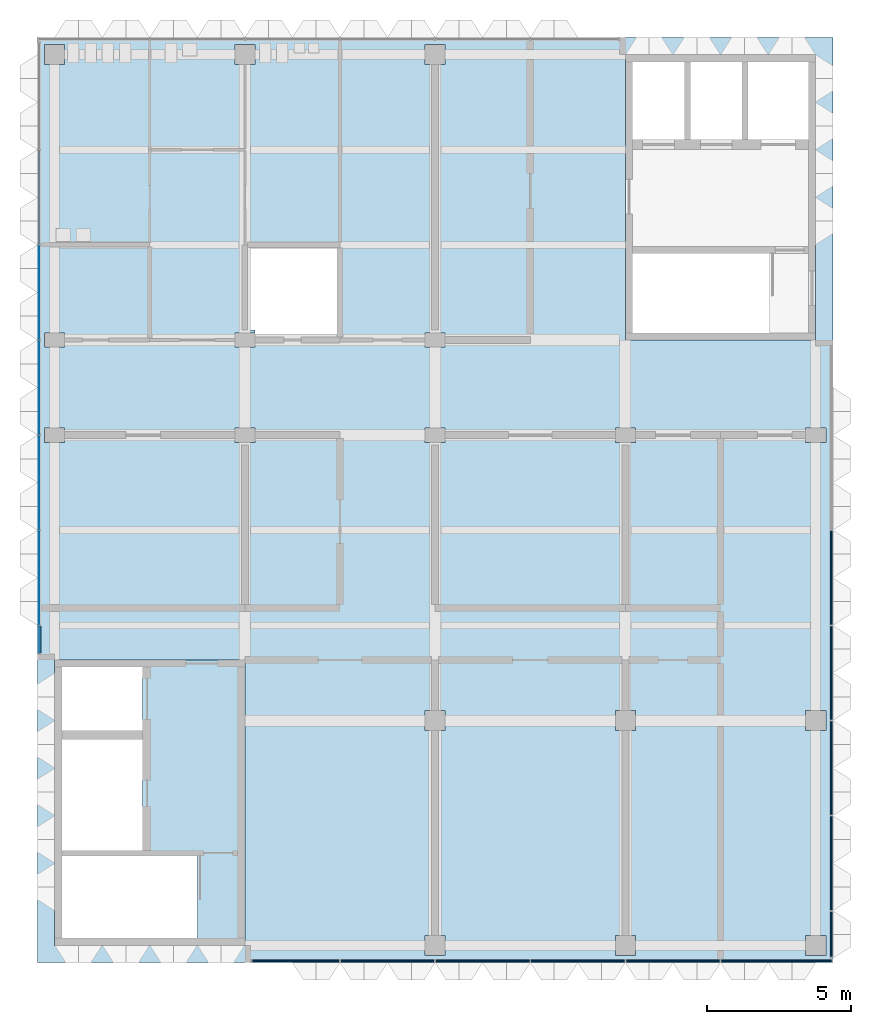
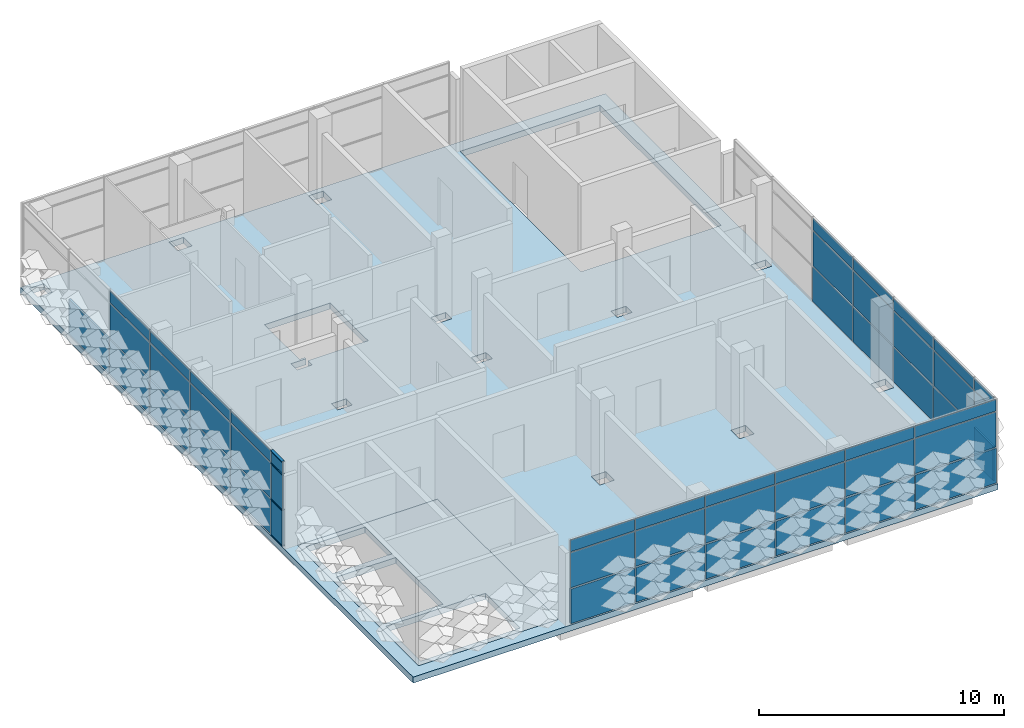
# One storey, part 7 of 21: 49 plates, 4 members, 2 slabs, 3 elements without a shape of their own.
"""IFC4 building model written with IfcOpenShell, lengths in metres."""

import ifcopenshell
import ifcopenshell.guid

model = None  # the IFC model being written
_history = None  # IfcOwnerHistory: only IFC2X3 demands one
_inside = {}  # id of a spatial element -> (the spatial element, [elements in it])
_under = {}  # id of a project, library or spatial element -> (it, [spatial elements below it])
_declared = {}  # id of a project -> (the project, [libraries it declares])
_typed = {}  # id of a type object -> (the type object, [elements of that type])
_made_of = {}  # id of a material, layer set ... -> (it, [elements and type objects made of it])


def new_model(schema):
    """Start an empty IFC model of exactly this schema.

    Asked for "IFC4X3", IfcOpenShell would pick the latest addendum, in which some entities
    have other attributes; the version numbers below select the first issue.
    IFC2X3 requires an IfcOwnerHistory on every rooted entity: one is made here for all.
    """
    global model, _history
    if schema == "IFC4X3":
        model = ifcopenshell.file(schema_version=(4, 3, 0, 0))
    else:
        model = ifcopenshell.file(schema=schema)
    _inside.clear()
    _under.clear()
    _declared.clear()
    _typed.clear()
    _made_of.clear()
    _history = None
    if model.schema == "IFC2X3":
        org = make("IfcOrganization", Name="unknown")
        user = make(
            "IfcPersonAndOrganization",
            ThePerson=make("IfcPerson", FamilyName="unknown"),
            TheOrganization=org,
        )
        app = make(
            "IfcApplication",
            ApplicationDeveloper=org,
            Version="unknown",
            ApplicationFullName="unknown",
            ApplicationIdentifier="unknown",
        )
        _history = make(
            "IfcOwnerHistory",
            OwningUser=user,
            OwningApplication=app,
            ChangeAction="ADDED",
            CreationDate=0,
        )
    return model


def make(cls, **values):
    """One entity of the class cls with the attributes given. An attribute that is None is left unset."""
    return model.create_entity(
        cls, **{name: value for name, value in values.items() if value is not None}
    )


def rooted(cls, **values):
    """An entity with a GlobalId (a new one), such as an element, a storey or a relation."""
    return make(cls, GlobalId=ifcopenshell.guid.new(), OwnerHistory=_history, **values)


def si_unit(unit_type, name, prefix=None):
    """IfcSIUnit, for example si_unit("LENGTHUNIT", "METRE", prefix="MILLI")."""
    return make("IfcSIUnit", UnitType=unit_type, Prefix=prefix, Name=name)


def assignment(units):
    """IfcUnitAssignment: the units of a project."""
    return None if units is None else make("IfcUnitAssignment", Units=units)


def point(xyz):
    """IfcCartesianPoint."""
    return None if xyz is None else make("IfcCartesianPoint", Coordinates=xyz)


def direction(xyz):
    """IfcDirection."""
    return None if xyz is None else make("IfcDirection", DirectionRatios=xyz)


def frame(location, z_axis=None, x_axis=None):
    """IfcAxis2Placement3D, a coordinate frame: its origin and axes. An axis left out is left unset."""
    return make(
        "IfcAxis2Placement3D",
        Location=point(location),
        Axis=direction(z_axis),
        RefDirection=direction(x_axis),
    )


def frame_2d(location, x_axis=None):
    """IfcAxis2Placement2D, a coordinate frame in the plane: its origin and x axis."""
    return make(
        "IfcAxis2Placement2D", Location=point(location), RefDirection=direction(x_axis)
    )


def origin():
    """The frame at (0, 0, 0) with its axes left unset."""
    return frame((0.0, 0.0, 0.0))


def origin_2d():
    """The frame at (0, 0) in the plane with its x axis left unset."""
    return frame_2d((0.0, 0.0))


def place(relative_to, where):
    """IfcLocalPlacement: puts the frame where relative to a parent placement (None: the world)."""
    return make(
        "IfcLocalPlacement", PlacementRelTo=relative_to, RelativePlacement=where
    )


def context(
    kind, dimensions, precision=None, world=None, true_north=None, identifier=None
):
    """IfcGeometricRepresentationContext, for example the 3D "Model" context."""
    return make(
        "IfcGeometricRepresentationContext",
        ContextIdentifier=identifier,
        ContextType=kind,
        CoordinateSpaceDimension=dimensions,
        Precision=precision,
        WorldCoordinateSystem=world,
        TrueNorth=true_north,
    )


def subcontext(parent, identifier, kind, view, scale=None):
    """IfcGeometricRepresentationSubContext, for example "Body" below "Model"."""
    return make(
        "IfcGeometricRepresentationSubContext",
        ContextIdentifier=identifier,
        ContextType=kind,
        ParentContext=parent,
        TargetScale=scale,
        TargetView=view,
    )


def project(units=None, contexts=None):
    """IfcProject with its units and contexts."""
    return rooted(
        "IfcProject",
        Name="project",
        RepresentationContexts=contexts,
        UnitsInContext=assignment(units),
    )


def spatial(cls, under=None, at=None, **own):
    """A site, building, storey or space (cls), placed at a placement, below another one or the project."""
    s = rooted(cls, ObjectPlacement=at, **own)
    if under is not None:
        _under.setdefault(under.id(), (under, []))[1].append(s)
    return s


def polyline(points):
    """IfcPolyline through the points."""
    return make("IfcPolyline", Points=[point(p) for p in points])


def profile(cls, at=None, kind="AREA", **sizes):
    """A parametric profile (cls). Its sizes go by their IFC names, for example OverallWidth=200.0."""
    return make(cls, ProfileType=kind, Position=at, **sizes)


def rectangle(**sizes):
    """IfcRectangleProfileDef."""
    return profile("IfcRectangleProfileDef", **sizes)


def outline(outer, holes=None, kind="AREA"):
    """IfcArbitraryClosedProfileDef: a profile drawn as a closed curve; with holes, ...WithVoids."""
    if holes is None:
        return make("IfcArbitraryClosedProfileDef", ProfileType=kind, OuterCurve=outer)
    return make(
        "IfcArbitraryProfileDefWithVoids",
        ProfileType=kind,
        OuterCurve=outer,
        InnerCurves=holes,
    )


def extrude(swept, where, along, depth):
    """IfcExtrudedAreaSolid: the profile swept, set in the frame where, extruded along a direction by depth."""
    return make(
        "IfcExtrudedAreaSolid",
        SweptArea=swept,
        Position=where,
        ExtrudedDirection=direction(along),
        Depth=depth,
    )


def shape(context_of_items, identifier, shape_type, items):
    """IfcShapeRepresentation: the items that make up one representation, for example the "Body"."""
    return make(
        "IfcShapeRepresentation",
        ContextOfItems=context_of_items,
        RepresentationIdentifier=identifier,
        RepresentationType=shape_type,
        Items=items,
    )


def material(Name=None, Category=None):
    """IfcMaterial."""
    return make("IfcMaterial", Name=Name, Category=Category)


def layer(
    of_material, thickness, ventilated=None, Name=None, Category=None, Priority=None
):
    """IfcMaterialLayer: one layer of a wall or slab, of a material (None: an air gap)."""
    return make(
        "IfcMaterialLayer",
        Material=of_material,
        LayerThickness=thickness,
        IsVentilated=ventilated,
        Name=Name,
        Category=Category,
        Priority=Priority,
    )


def layer_set(layers, Name=None):
    """IfcMaterialLayerSet."""
    return make("IfcMaterialLayerSet", MaterialLayers=layers, LayerSetName=Name)


def material_profile(
    of_material, cross_section, Name=None, Category=None, Priority=None
):
    """IfcMaterialProfile: a cross section and its material."""
    return make(
        "IfcMaterialProfile",
        Name=Name,
        Material=of_material,
        Profile=cross_section,
        Priority=Priority,
        Category=Category,
    )


def profile_set(profiles, Name=None, composite=None):
    """IfcMaterialProfileSet."""
    return make(
        "IfcMaterialProfileSet",
        Name=Name,
        MaterialProfiles=profiles,
        CompositeProfile=composite,
    )


def made_of(thing, what):
    """Note that an element or type object is made of a material, layer set ...; save() writes the relation."""
    if what is not None:
        _made_of.setdefault(what.id(), (what, []))[1].append(thing)
    return thing


def type_object(cls, material=None, **own):
    """A type object (cls), such as IfcWallType, which elements share."""
    return made_of(rooted(cls, **own), material)


def element(
    cls,
    number,
    at=None,
    inside=None,
    cuts=None,
    type_object=None,
    material=None,
    context=None,
    identifier="Body",
    shape_type=None,
    held_by="IfcProductDefinitionShape",
    body=None,
    shapes=None,
    **own,
):
    """One element of the class cls, such as IfcWall. Its Tag is "e" and its number.

    at: its placement. inside: the storey or other place that contains it. cuts: it is an
    opening in that element (IfcRelVoidsElement). A single representation is given by context,
    identifier, shape_type and body (its items); several are given by shapes. held_by: the class
    of the entity that holds the representations. save() writes the other relations.
    """
    e = rooted(cls, Tag="e%d" % number, ObjectPlacement=at, **own)
    if body is not None:
        shapes = [shape(context, identifier, shape_type, body)]
    if shapes is not None:
        e.Representation = make(held_by, Representations=shapes)
    if inside is not None:
        _inside.setdefault(inside.id(), (inside, []))[1].append(e)
    if cuts is not None:
        rooted(
            "IfcRelVoidsElement", RelatingBuildingElement=cuts, RelatedOpeningElement=e
        )
    if type_object is not None:
        _typed.setdefault(type_object.id(), (type_object, []))[1].append(e)
    return made_of(e, material)


def aggregate(whole, parts):
    """IfcRelAggregates: a whole, such as a stair, and the parts it consists of."""
    return rooted("IfcRelAggregates", RelatingObject=whole, RelatedObjects=parts)


def save(model, path):
    """Write the relations noted so far, then the file.

    IfcRelAggregates (storeys below a building ...), IfcRelContainedInSpatialStructure (elements
    in a storey), IfcRelDefinesByType, IfcRelAssociatesMaterial and IfcRelDeclares: one each for
    every whole, place, type object, material and project.
    """
    for whole, parts in _under.values():
        aggregate(whole, parts)
    for where, things in _inside.values():
        rooted(
            "IfcRelContainedInSpatialStructure",
            RelatedElements=things,
            RelatingStructure=where,
        )
    for kind, things in _typed.values():
        rooted("IfcRelDefinesByType", RelatedObjects=things, RelatingType=kind)
    for what, things in _made_of.values():
        rooted("IfcRelAssociatesMaterial", RelatedObjects=things, RelatingMaterial=what)
    for by, libraries in _declared.values():
        rooted("IfcRelDeclares", RelatingContext=by, RelatedDefinitions=libraries)
    model.write(path)


model = new_model("IFC4")

# Units and contexts
model_context = context("Model", 3, precision=1e-05, world=origin(), true_north=direction((0.0, 1.0)))
body_context = subcontext(model_context, "Body", "Model", "MODEL_VIEW")
ifc_project = project(units=[si_unit("LENGTHUNIT", "METRE"), si_unit("AREAUNIT", "SQUARE_METRE"), si_unit("VOLUMEUNIT", "CUBIC_METRE"), si_unit("PLANEANGLEUNIT", "RADIAN"), si_unit("MASSUNIT", "GRAM", prefix="KILO")], contexts=[model_context])

# Site, building, storey
site_placement = place(None, origin())
site = spatial("IfcSite", under=ifc_project, at=site_placement, CompositionType="ELEMENT")
building_placement = place(site_placement, origin())
building = spatial("IfcBuilding", under=site, at=building_placement, Name="Lantern Court Research Institute", CompositionType="ELEMENT")
storey_placement = place(building_placement, frame((0.0, 0.0, 41.39990234375)))
storey = spatial("IfcBuildingStorey", under=building, at=storey_placement, Name="L09", CompositionType="ELEMENT", Elevation=41.39990234375)

# Curtain wall, members
ifc_material_1 = material(Name="Aluminium alloy 6063-T6", Category="aluminium")
curtain_wall_type_1 = type_object("IfcCurtainWallType", Name="Curtain wall 21250 x 4250 x 120 aluminium frame", PredefinedType="NOTDEFINED", material=ifc_material_1)
curtain_wall_1_placement = place(storey_placement, origin())
curtain_wall_1 = element("IfcCurtainWall", 1, at=curtain_wall_1_placement, inside=storey, type_object=curtain_wall_type_1, Name="Curtain wall CW092", PredefinedType="NOTDEFINED")
ifc_material_2 = material(Name="Aluminium alloy 6063-T6", Category="aluminium")
ifc_material_profile = material_profile(ifc_material_2, rectangle(XDim=0.1201171875, YDim=0.050048828125, at=origin_2d()), Name="Transom 120 x 50")
ifc_profile_set = profile_set([ifc_material_profile], Name="Aluminium alloy 6063-T6")
member_type = type_object("IfcMemberType", Name="Transom 120 x 50 aluminium", PredefinedType="USERDEFINED", material=ifc_profile_set)
member_1_placement = place(storey_placement, frame((52.260009765625, 2.35009765625, 0.025146484375), z_axis=(0.0, 1.0, 0.0), x_axis=(-1.0, 0.0, 0.0)))
member_1 = element("IfcMember", 2, at=member_1_placement, type_object=member_type, Name="CW092 transom 1.1", ObjectType="TRANSOM", PredefinedType="USERDEFINED", context=body_context, shape_type="SweptSolid", body=[
    extrude(rectangle(XDim=0.1201171875, YDim=0.050048828125, at=origin_2d()), origin(), (0.0, 0.0, 1.0), 0.9248046875),
])
member_2_placement = place(storey_placement, frame((52.260009765625, 2.35009765625, 1.800048828125), z_axis=(0.0, 1.0, 0.0), x_axis=(-1.0, 0.0, 0.0)))
member_2 = element("IfcMember", 3, at=member_2_placement, type_object=member_type, Name="CW092 transom 1.2", ObjectType="TRANSOM", PredefinedType="USERDEFINED", context=body_context, shape_type="SweptSolid", body=[
    extrude(rectangle(XDim=0.1201171875, YDim=0.050048828125, at=origin_2d()), origin(), (0.0, 0.0, 1.0), 0.9248046875),
])
member_3_placement = place(storey_placement, frame((52.260009765625, 2.35009765625, 3.60009765625), z_axis=(0.0, 1.0, 0.0), x_axis=(-1.0, 0.0, 0.0)))
member_3 = element("IfcMember", 4, at=member_3_placement, type_object=member_type, Name="CW092 transom 1.3", ObjectType="TRANSOM", PredefinedType="USERDEFINED", context=body_context, shape_type="SweptSolid", body=[
    extrude(rectangle(XDim=0.1201171875, YDim=0.050048828125, at=origin_2d()), origin(), (0.0, 0.0, 1.0), 0.9248046875),
])
member_4_placement = place(storey_placement, frame((52.260009765625, 2.35009765625, 4.22509765625), z_axis=(0.0, 1.0, 0.0), x_axis=(-1.0, 0.0, 0.0)))
member_4 = element("IfcMember", 5, at=member_4_placement, type_object=member_type, Name="CW092 transom 1.4", ObjectType="TRANSOM", PredefinedType="USERDEFINED", context=body_context, shape_type="SweptSolid", body=[
    extrude(rectangle(XDim=0.1201171875, YDim=0.050048828125, at=origin_2d()), origin(), (0.0, 0.0, 1.0), 0.9248046875),
])

# Curtain wall, plates
ifc_material_3 = material(Name="Aluminium alloy 6063-T6", Category="aluminium")
curtain_wall_type_2 = type_object("IfcCurtainWallType", Name="Curtain wall 20200 x 4250 x 120 aluminium frame", PredefinedType="NOTDEFINED", material=ifc_material_3)
curtain_wall_2_placement = place(storey_placement, origin())
curtain_wall_2 = element("IfcCurtainWall", 6, at=curtain_wall_2_placement, inside=storey, type_object=curtain_wall_type_2, Name="Curtain wall CW091", PredefinedType="NOTDEFINED")
ifc_material_4 = material(Name="Insulated aluminium spandrel panel", Category="aluminium")
ifc_layer_1 = layer(ifc_material_4, 0.10009765625)
ifc_layer_set_1 = layer_set([ifc_layer_1], Name="Insulated aluminium spandrel panel")
plate_type_1 = type_object("IfcPlateType", Name="Insulated spandrel panel 100 mm for south sun", PredefinedType="CURTAIN_PANEL", material=ifc_layer_set_1)
plate_1_placement = place(storey_placement, frame((61.16259765625, -8.340087890625, 0.050048828125), z_axis=(0.0, 0.0, 1.0), x_axis=(-1.0, 0.0, 0.0)))
plate_1 = element("IfcPlate", 7, at=plate_1_placement, type_object=plate_type_1, Name="CW091 spandrel panel 1.1", PredefinedType="CURTAIN_PANEL", context=body_context, shape_type="SweptSolid", body=[
    extrude(rectangle(XDim=3.02490234375, YDim=0.10009765625, at=origin_2d()), origin(), (0.0, 0.0, 1.0), 1.72509765625),
])
plate_2_placement = place(storey_placement, frame((64.35009765625, -8.340087890625, 0.050048828125), z_axis=(0.0, 0.0, 1.0), x_axis=(-1.0, 0.0, 0.0)))
plate_2 = element("IfcPlate", 8, at=plate_2_placement, type_object=plate_type_1, Name="CW091 spandrel panel 2.1", PredefinedType="CURTAIN_PANEL", context=body_context, shape_type="SweptSolid", body=[
    extrude(rectangle(XDim=3.25, YDim=0.10009765625, at=origin_2d()), origin(), (0.0, 0.0, 1.0), 1.72509765625),
])
plate_3_placement = place(storey_placement, frame((67.64990234375, -8.340087890625, 0.050048828125), z_axis=(0.0, 0.0, 1.0), x_axis=(-1.0, 0.0, 0.0)))
plate_3 = element("IfcPlate", 9, at=plate_3_placement, type_object=plate_type_1, Name="CW091 spandrel panel 3.1", PredefinedType="CURTAIN_PANEL", context=body_context, shape_type="SweptSolid", body=[
    extrude(rectangle(XDim=3.25, YDim=0.10009765625, at=origin_2d()), origin(), (0.0, 0.0, 1.0), 1.72509765625),
])
plate_4_placement = place(storey_placement, frame((70.949951171875, -8.340087890625, 0.050048828125), z_axis=(0.0, 0.0, 1.0), x_axis=(-1.0, 0.0, 0.0)))
plate_4 = element("IfcPlate", 10, at=plate_4_placement, type_object=plate_type_1, Name="CW091 spandrel panel 4.1", PredefinedType="CURTAIN_PANEL", context=body_context, shape_type="SweptSolid", body=[
    extrude(rectangle(XDim=3.25, YDim=0.10009765625, at=origin_2d()), origin(), (0.0, 0.0, 1.0), 1.72509765625),
])
plate_5_placement = place(storey_placement, frame((74.25, -8.340087890625, 0.050048828125), z_axis=(0.0, 0.0, 1.0), x_axis=(-1.0, 0.0, 0.0)))
plate_5 = element("IfcPlate", 11, at=plate_5_placement, type_object=plate_type_1, Name="CW091 spandrel panel 5.1", PredefinedType="CURTAIN_PANEL", context=body_context, shape_type="SweptSolid", body=[
    extrude(rectangle(XDim=3.25, YDim=0.10009765625, at=origin_2d()), origin(), (0.0, 0.0, 1.0), 1.72509765625),
])
plate_6_placement = place(storey_placement, frame((77.83740234375, -8.340087890625, 0.050048828125), z_axis=(0.0, 0.0, 1.0), x_axis=(-1.0, 0.0, 0.0)))
plate_6 = element("IfcPlate", 12, at=plate_6_placement, type_object=plate_type_1, Name="CW091 spandrel panel 6.1", PredefinedType="CURTAIN_PANEL", context=body_context, shape_type="SweptSolid", body=[
    extrude(rectangle(XDim=3.824951171875, YDim=0.10009765625, at=origin_2d()), origin(), (0.0, 0.0, 1.0), 1.72509765625),
])

curtain_wall_3_placement = place(storey_placement, origin())
curtain_wall_3 = element("IfcCurtainWall", 13, at=curtain_wall_3_placement, inside=storey, type_object=curtain_wall_type_1, Name="Curtain wall CW089", PredefinedType="NOTDEFINED")
ifc_material_5 = material(Name="Insulated aluminium spandrel panel", Category="aluminium")
ifc_layer_2 = layer(ifc_material_5, 0.080078125)
ifc_layer_set_2 = layer_set([ifc_layer_2], Name="Insulated aluminium spandrel panel")
plate_type_2 = type_object("IfcPlateType", Name="Insulated spandrel panel 80 mm", PredefinedType="CURTAIN_PANEL", material=ifc_layer_set_2)
plate_7_placement = place(storey_placement, frame((79.739990234375, -7.41259765625, 0.050048828125), z_axis=(0.0, 0.0, 1.0), x_axis=(0.0, -1.0, 0.0)))
plate_7 = element("IfcPlate", 14, at=plate_7_placement, type_object=plate_type_2, Name="CW089 spandrel panel 1.1", PredefinedType="CURTAIN_PANEL", context=body_context, shape_type="SweptSolid", body=[
    extrude(rectangle(XDim=1.574951171875, YDim=0.080078125, at=origin_2d()), origin(), (0.0, 0.0, 1.0), 1.72509765625),
])
plate_8_placement = place(storey_placement, frame((79.739990234375, -4.949951171875, 0.050048828125), z_axis=(0.0, 0.0, 1.0), x_axis=(0.0, -1.0, 0.0)))
plate_8 = element("IfcPlate", 15, at=plate_8_placement, type_object=plate_type_2, Name="CW089 spandrel panel 2.1", PredefinedType="CURTAIN_PANEL", context=body_context, shape_type="SweptSolid", body=[
    extrude(rectangle(XDim=3.25, YDim=0.080078125, at=origin_2d()), origin(), (0.0, 0.0, 1.0), 1.72509765625),
])
plate_9_placement = place(storey_placement, frame((79.739990234375, -1.64990234375, 0.050048828125), z_axis=(0.0, 0.0, 1.0), x_axis=(0.0, -1.0, 0.0)))
plate_9 = element("IfcPlate", 16, at=plate_9_placement, type_object=plate_type_2, Name="CW089 spandrel panel 3.1", PredefinedType="CURTAIN_PANEL", context=body_context, shape_type="SweptSolid", body=[
    extrude(rectangle(XDim=3.25, YDim=0.080078125, at=origin_2d()), origin(), (0.0, 0.0, 1.0), 1.72509765625),
])
plate_10_placement = place(storey_placement, frame((79.739990234375, 1.64990234375, 0.050048828125), z_axis=(0.0, 0.0, 1.0), x_axis=(0.0, -1.0, 0.0)))
plate_10 = element("IfcPlate", 17, at=plate_10_placement, type_object=plate_type_2, Name="CW089 spandrel panel 4.1", PredefinedType="CURTAIN_PANEL", context=body_context, shape_type="SweptSolid", body=[
    extrude(rectangle(XDim=3.25, YDim=0.080078125, at=origin_2d()), origin(), (0.0, 0.0, 1.0), 1.72509765625),
])
plate_11_placement = place(storey_placement, frame((79.739990234375, 4.949951171875, 0.050048828125), z_axis=(0.0, 0.0, 1.0), x_axis=(0.0, -1.0, 0.0)))
plate_11 = element("IfcPlate", 18, at=plate_11_placement, type_object=plate_type_2, Name="CW089 spandrel panel 5.1", PredefinedType="CURTAIN_PANEL", context=body_context, shape_type="SweptSolid", body=[
    extrude(rectangle(XDim=3.25, YDim=0.080078125, at=origin_2d()), origin(), (0.0, 0.0, 1.0), 1.72509765625),
])

# Plate
plate_12_placement = place(storey_placement, frame((52.260009765625, 2.8125, 0.050048828125), z_axis=(0.0, 0.0, 1.0), x_axis=(0.0, 1.0, 0.0)))
plate_12 = element("IfcPlate", 19, at=plate_12_placement, type_object=plate_type_2, Name="CW092 spandrel panel 1.1", PredefinedType="CURTAIN_PANEL", context=body_context, shape_type="SweptSolid", body=[
    extrude(rectangle(XDim=0.925048828125, YDim=0.080078125, at=origin_2d()), origin(), (0.0, 0.0, 1.0), 1.72509765625),
])

plate_13_placement = place(storey_placement, frame((52.260009765625, 4.949951171875, 0.050048828125), z_axis=(0.0, 0.0, 1.0), x_axis=(0.0, 1.0, 0.0)))
plate_13 = element("IfcPlate", 20, at=plate_13_placement, type_object=plate_type_2, Name="CW092 spandrel panel 2.1", PredefinedType="CURTAIN_PANEL", context=body_context, shape_type="SweptSolid", body=[
    extrude(rectangle(XDim=3.25, YDim=0.080078125, at=origin_2d()), origin(), (0.0, 0.0, 1.0), 1.72509765625),
])

plate_14_placement = place(storey_placement, frame((52.260009765625, 8.25, 0.050048828125), z_axis=(0.0, 0.0, 1.0), x_axis=(0.0, 1.0, 0.0)))
plate_14 = element("IfcPlate", 21, at=plate_14_placement, type_object=plate_type_2, Name="CW092 spandrel panel 3.1", PredefinedType="CURTAIN_PANEL", context=body_context, shape_type="SweptSolid", body=[
    extrude(rectangle(XDim=3.25, YDim=0.080078125, at=origin_2d()), origin(), (0.0, 0.0, 1.0), 1.72509765625),
])

plate_15_placement = place(storey_placement, frame((52.260009765625, 11.550048828125, 0.050048828125), z_axis=(0.0, 0.0, 1.0), x_axis=(0.0, 1.0, 0.0)))
plate_15 = element("IfcPlate", 22, at=plate_15_placement, type_object=plate_type_2, Name="CW092 spandrel panel 4.1", PredefinedType="CURTAIN_PANEL", context=body_context, shape_type="SweptSolid", body=[
    extrude(rectangle(XDim=3.25, YDim=0.080078125, at=origin_2d()), origin(), (0.0, 0.0, 1.0), 1.72509765625),
])

plate_16_placement = place(storey_placement, frame((52.260009765625, 14.85009765625, 0.050048828125), z_axis=(0.0, 0.0, 1.0), x_axis=(0.0, 1.0, 0.0)))
plate_16 = element("IfcPlate", 23, at=plate_16_placement, type_object=plate_type_2, Name="CW092 spandrel panel 5.1", PredefinedType="CURTAIN_PANEL", context=body_context, shape_type="SweptSolid", body=[
    extrude(rectangle(XDim=3.25, YDim=0.080078125, at=origin_2d()), origin(), (0.0, 0.0, 1.0), 1.72509765625),
])

plate_17_placement = place(storey_placement, frame((52.260009765625, 18.14990234375, 0.050048828125), z_axis=(0.0, 0.0, 1.0), x_axis=(0.0, 1.0, 0.0)))
plate_17 = element("IfcPlate", 24, at=plate_17_placement, type_object=plate_type_2, Name="CW092 spandrel panel 6.1", PredefinedType="CURTAIN_PANEL", context=body_context, shape_type="SweptSolid", body=[
    extrude(rectangle(XDim=3.25, YDim=0.080078125, at=origin_2d()), origin(), (0.0, 0.0, 1.0), 1.72509765625),
])

ifc_material_6 = material(Name="Laminated low-emissivity glass", Category="glass")
ifc_layer_3 = layer(ifc_material_6, 0.031982421875)
ifc_layer_set_3 = layer_set([ifc_layer_3], Name="Laminated low-emissivity glass")
plate_type_3 = type_object("IfcPlateType", Name="Laminated low-emissivity unit 32 mm", PredefinedType="CURTAIN_PANEL", material=ifc_layer_set_3)
plate_18_placement = place(storey_placement, frame((52.260009765625, 2.8125, 1.8251953125), z_axis=(0.0, 0.0, 1.0), x_axis=(0.0, 1.0, 0.0)))
plate_18 = element("IfcPlate", 25, at=plate_18_placement, type_object=plate_type_3, Name="CW092 glazed panel 1.2", PredefinedType="CURTAIN_PANEL", context=body_context, shape_type="SweptSolid", body=[
    extrude(rectangle(XDim=0.925048828125, YDim=0.031982421875, at=origin_2d()), origin(), (0.0, 0.0, 1.0), 1.75),
])

plate_19_placement = place(storey_placement, frame((52.260009765625, 2.8125, 3.625), z_axis=(0.0, 0.0, 1.0), x_axis=(0.0, 1.0, 0.0)))
plate_19 = element("IfcPlate", 26, at=plate_19_placement, type_object=plate_type_3, Name="CW092 glazed panel 1.3", PredefinedType="CURTAIN_PANEL", context=body_context, shape_type="SweptSolid", body=[
    extrude(rectangle(XDim=0.925048828125, YDim=0.031982421875, at=origin_2d()), origin(), (0.0, 0.0, 1.0), 0.574951171875),
])

plate_20_placement = place(storey_placement, frame((52.260009765625, 4.949951171875, 1.8251953125), z_axis=(0.0, 0.0, 1.0), x_axis=(0.0, 1.0, 0.0)))
plate_20 = element("IfcPlate", 27, at=plate_20_placement, type_object=plate_type_3, Name="CW092 glazed panel 2.2", PredefinedType="CURTAIN_PANEL", context=body_context, shape_type="SweptSolid", body=[
    extrude(rectangle(XDim=3.25, YDim=0.031982421875, at=origin_2d()), origin(), (0.0, 0.0, 1.0), 1.75),
])

plate_21_placement = place(storey_placement, frame((52.260009765625, 4.949951171875, 3.625), z_axis=(0.0, 0.0, 1.0), x_axis=(0.0, 1.0, 0.0)))
plate_21 = element("IfcPlate", 28, at=plate_21_placement, type_object=plate_type_3, Name="CW092 glazed panel 2.3", PredefinedType="CURTAIN_PANEL", context=body_context, shape_type="SweptSolid", body=[
    extrude(rectangle(XDim=3.25, YDim=0.031982421875, at=origin_2d()), origin(), (0.0, 0.0, 1.0), 0.574951171875),
])

plate_22_placement = place(storey_placement, frame((52.260009765625, 8.25, 1.8251953125), z_axis=(0.0, 0.0, 1.0), x_axis=(0.0, 1.0, 0.0)))
plate_22 = element("IfcPlate", 29, at=plate_22_placement, type_object=plate_type_3, Name="CW092 glazed panel 3.2", PredefinedType="CURTAIN_PANEL", context=body_context, shape_type="SweptSolid", body=[
    extrude(rectangle(XDim=3.25, YDim=0.031982421875, at=origin_2d()), origin(), (0.0, 0.0, 1.0), 1.75),
])

plate_23_placement = place(storey_placement, frame((52.260009765625, 8.25, 3.625), z_axis=(0.0, 0.0, 1.0), x_axis=(0.0, 1.0, 0.0)))
plate_23 = element("IfcPlate", 30, at=plate_23_placement, type_object=plate_type_3, Name="CW092 glazed panel 3.3", PredefinedType="CURTAIN_PANEL", context=body_context, shape_type="SweptSolid", body=[
    extrude(rectangle(XDim=3.25, YDim=0.031982421875, at=origin_2d()), origin(), (0.0, 0.0, 1.0), 0.574951171875),
])

plate_24_placement = place(storey_placement, frame((52.260009765625, 11.550048828125, 1.8251953125), z_axis=(0.0, 0.0, 1.0), x_axis=(0.0, 1.0, 0.0)))
plate_24 = element("IfcPlate", 31, at=plate_24_placement, type_object=plate_type_3, Name="CW092 glazed panel 4.2", PredefinedType="CURTAIN_PANEL", context=body_context, shape_type="SweptSolid", body=[
    extrude(rectangle(XDim=3.25, YDim=0.031982421875, at=origin_2d()), origin(), (0.0, 0.0, 1.0), 1.75),
])

plate_25_placement = place(storey_placement, frame((52.260009765625, 11.550048828125, 3.625), z_axis=(0.0, 0.0, 1.0), x_axis=(0.0, 1.0, 0.0)))
plate_25 = element("IfcPlate", 32, at=plate_25_placement, type_object=plate_type_3, Name="CW092 glazed panel 4.3", PredefinedType="CURTAIN_PANEL", context=body_context, shape_type="SweptSolid", body=[
    extrude(rectangle(XDim=3.25, YDim=0.031982421875, at=origin_2d()), origin(), (0.0, 0.0, 1.0), 0.574951171875),
])

plate_26_placement = place(storey_placement, frame((52.260009765625, 14.85009765625, 1.8251953125), z_axis=(0.0, 0.0, 1.0), x_axis=(0.0, 1.0, 0.0)))
plate_26 = element("IfcPlate", 33, at=plate_26_placement, type_object=plate_type_3, Name="CW092 glazed panel 5.2", PredefinedType="CURTAIN_PANEL", context=body_context, shape_type="SweptSolid", body=[
    extrude(rectangle(XDim=3.25, YDim=0.031982421875, at=origin_2d()), origin(), (0.0, 0.0, 1.0), 1.75),
])

plate_27_placement = place(storey_placement, frame((52.260009765625, 14.85009765625, 3.625), z_axis=(0.0, 0.0, 1.0), x_axis=(0.0, 1.0, 0.0)))
plate_27 = element("IfcPlate", 34, at=plate_27_placement, type_object=plate_type_3, Name="CW092 glazed panel 5.3", PredefinedType="CURTAIN_PANEL", context=body_context, shape_type="SweptSolid", body=[
    extrude(rectangle(XDim=3.25, YDim=0.031982421875, at=origin_2d()), origin(), (0.0, 0.0, 1.0), 0.574951171875),
])

aggregate(curtain_wall_1, [member_1, member_2, member_3, member_4, plate_12, plate_18, plate_19, plate_13, plate_20, plate_21, plate_14, plate_22, plate_23, plate_15, plate_24, plate_25, plate_16, plate_26, plate_27, plate_17])

# Slabs
ifc_material_7 = material(Name="Concrete C35/45", Category="concrete")
ifc_layer_4 = layer(ifc_material_7, 0.300048828125)
ifc_layer_set_4 = layer_set([ifc_layer_4], Name="Concrete C35/45")
slab_type_1 = type_object("IfcSlabType", Name="RC core floor slab 300", PredefinedType="FLOOR", material=ifc_layer_set_4)
slab_1_placement = place(storey_placement, frame((0.0, 0.0, -0.2998046875)))
element("IfcSlab", 35, at=slab_1_placement, inside=storey, type_object=slab_type_1, Name="Floor of core TC-W", PredefinedType="FLOOR", context=body_context, shape_type="SweptSolid", body=[
    extrude(outline(polyline([(52.800048828125, -7.800048828125), (59.39990234375, -7.800048828125), (59.39990234375, 2.10009765625), (52.800048828125, 2.10009765625), (52.800048828125, -7.800048828125)]), holes=[polyline([(57.75, -4.699951171875), (53.050048828125, -4.699951171875), (53.050048828125, -7.550048828125), (57.75, -7.550048828125), (57.75, -4.699951171875)]), polyline([(53.050048828125, -0.35009765625), (55.85009765625, -0.35009765625), (55.85009765625, 1.85009765625), (53.050048828125, 1.85009765625), (53.050048828125, -0.35009765625)]), polyline([(53.050048828125, -0.64990234375), (55.85009765625, -0.64990234375), (55.85009765625, -4.5), (53.050048828125, -4.5), (53.050048828125, -0.64990234375)])]), origin(), (0.0, 0.0, 1.0), 0.2998046875),
])
ifc_material_8 = material(Name="Concrete C35/45", Category="concrete")
ifc_layer_5 = layer(ifc_material_8, 0.300048828125)
ifc_layer_set_5 = layer_set([ifc_layer_5], Name="Concrete C35/45")
slab_type_2 = type_object("IfcSlabType", Name="RC floor slab 300", PredefinedType="FLOOR", material=ifc_layer_set_5)
slab_2_placement = place(storey_placement, frame((0.0, 0.0, -0.2998046875)))
element("IfcSlab", 36, at=slab_2_placement, inside=storey, type_object=slab_type_2, Name="Floor slab L09 Dry Laboratory and Clean Room Tower", PredefinedType="FLOOR", context=body_context, shape_type="SweptSolid", body=[
    extrude(outline(polyline([(52.199951171875, 23.10009765625), (52.199951171875, -7.800048828125), (52.199951171875, -8.39990234375), (79.800048828125, -8.39990234375), (79.800048828125, -7.800048828125), (79.800048828125, 23.10009765625), (79.800048828125, 23.699951171875), (52.199951171875, 23.699951171875), (52.199951171875, 23.10009765625)]), holes=[polyline([(78.85009765625, 10.14990234375), (79.550048828125, 10.14990234375), (79.550048828125, 9.64990234375), (78.85009765625, 9.64990234375), (78.85009765625, 10.14990234375)]), polyline([(79.550048828125, 0.35009765625), (79.550048828125, -0.35009765625), (78.85009765625, -0.35009765625), (78.85009765625, 0.35009765625), (79.550048828125, 0.35009765625)]), polyline([(78.85009765625, -7.449951171875), (79.550048828125, -7.449951171875), (79.550048828125, -8.14990234375), (78.85009765625, -8.14990234375), (78.85009765625, -7.449951171875)]), polyline([(79.199951171875, 23.10009765625), (79.199951171875, 13.199951171875), (72.60009765625, 13.199951171875), (72.60009765625, 23.10009765625), (79.199951171875, 23.10009765625)]), polyline([(72.25, 10.14990234375), (72.949951171875, 10.14990234375), (72.949951171875, 9.64990234375), (72.25, 9.64990234375), (72.25, 10.14990234375)]), polyline([(72.949951171875, 0.35009765625), (72.949951171875, -0.35009765625), (72.25, -0.35009765625), (72.25, 0.35009765625), (72.949951171875, 0.35009765625)]), polyline([(72.25, -7.449951171875), (72.949951171875, -7.449951171875), (72.949951171875, -8.14990234375), (72.25, -8.14990234375), (72.25, -7.449951171875)]), polyline([(65.64990234375, 10.14990234375), (66.35009765625, 10.14990234375), (66.35009765625, 9.64990234375), (65.64990234375, 9.64990234375), (65.64990234375, 10.14990234375)]), polyline([(66.35009765625, 23.449951171875), (66.35009765625, 22.75), (65.64990234375, 22.75), (65.64990234375, 23.449951171875), (66.35009765625, 23.449951171875)]), polyline([(65.64990234375, 13.449951171875), (66.35009765625, 13.449951171875), (66.35009765625, 12.949951171875), (65.64990234375, 12.949951171875), (65.64990234375, 13.449951171875)]), polyline([(65.64990234375, 0.35009765625), (66.35009765625, 0.35009765625), (66.35009765625, -0.35009765625), (65.64990234375, -0.35009765625), (65.64990234375, 0.35009765625)]), polyline([(65.64990234375, -7.449951171875), (66.35009765625, -7.449951171875), (66.35009765625, -8.14990234375), (65.64990234375, -8.14990234375), (65.64990234375, -7.449951171875)]), polyline([(59.050048828125, 23.449951171875), (59.75, 23.449951171875), (59.75, 22.75), (59.050048828125, 22.75), (59.050048828125, 23.449951171875)]), polyline([(59.75, 13.300048828125), (59.75, 12.949951171875), (59.050048828125, 12.949951171875), (59.050048828125, 13.449951171875), (59.75, 13.449951171875), (59.75, 13.550048828125), (59.5, 13.550048828125), (59.5, 16.39990234375), (62.60009765625, 16.39990234375), (62.60009765625, 13.300048828125), (59.75, 13.300048828125)]), polyline([(59.050048828125, 10.14990234375), (59.75, 10.14990234375), (59.75, 9.64990234375), (59.050048828125, 9.64990234375), (59.050048828125, 10.14990234375)]), polyline([(52.800048828125, 2.10009765625), (59.39990234375, 2.10009765625), (59.39990234375, -7.800048828125), (52.800048828125, -7.800048828125), (52.800048828125, 2.10009765625)]), polyline([(53.14990234375, 23.449951171875), (53.14990234375, 22.75), (52.449951171875, 22.75), (52.449951171875, 23.449951171875), (53.14990234375, 23.449951171875)]), polyline([(52.449951171875, 13.449951171875), (53.14990234375, 13.449951171875), (53.14990234375, 12.949951171875), (52.449951171875, 12.949951171875), (52.449951171875, 13.449951171875)]), polyline([(52.449951171875, 10.14990234375), (53.14990234375, 10.14990234375), (53.14990234375, 9.64990234375), (52.449951171875, 9.64990234375), (52.449951171875, 10.14990234375)])]), origin(), (0.0, 0.0, 1.0), 0.2998046875),
])

# Plate
ifc_material_9 = material(Name="Laminated low-emissivity glass", Category="glass")
ifc_layer_6 = layer(ifc_material_9, 0.035888671875)
ifc_layer_set_6 = layer_set([ifc_layer_6], Name="Laminated low-emissivity glass")
plate_type_4 = type_object("IfcPlateType", Name="Solar control laminated unit 36 mm", PredefinedType="CURTAIN_PANEL", material=ifc_layer_set_6)
plate_28_placement = place(storey_placement, frame((79.739990234375, -7.41259765625, 1.8251953125), z_axis=(0.0, 0.0, 1.0), x_axis=(0.0, -1.0, 0.0)))
plate_28 = element("IfcPlate", 37, at=plate_28_placement, type_object=plate_type_4, Name="CW089 glazed panel 1.2", PredefinedType="CURTAIN_PANEL", context=body_context, shape_type="SweptSolid", body=[
    extrude(rectangle(XDim=1.574951171875, YDim=0.035888671875, at=origin_2d()), origin(), (0.0, 0.0, 1.0), 1.75),
])

plate_29_placement = place(storey_placement, frame((79.739990234375, -7.41259765625, 3.625), z_axis=(0.0, 0.0, 1.0), x_axis=(0.0, -1.0, 0.0)))
plate_29 = element("IfcPlate", 38, at=plate_29_placement, type_object=plate_type_4, Name="CW089 glazed panel 1.3", PredefinedType="CURTAIN_PANEL", context=body_context, shape_type="SweptSolid", body=[
    extrude(rectangle(XDim=1.574951171875, YDim=0.035888671875, at=origin_2d()), origin(), (0.0, 0.0, 1.0), 0.574951171875),
])

plate_30_placement = place(storey_placement, frame((79.739990234375, -4.949951171875, 1.8251953125), z_axis=(0.0, 0.0, 1.0), x_axis=(0.0, -1.0, 0.0)))
plate_30 = element("IfcPlate", 39, at=plate_30_placement, type_object=plate_type_4, Name="CW089 glazed panel 2.2", PredefinedType="CURTAIN_PANEL", context=body_context, shape_type="SweptSolid", body=[
    extrude(rectangle(XDim=3.25, YDim=0.035888671875, at=origin_2d()), origin(), (0.0, 0.0, 1.0), 1.75),
])

plate_31_placement = place(storey_placement, frame((79.739990234375, -4.949951171875, 3.625), z_axis=(0.0, 0.0, 1.0), x_axis=(0.0, -1.0, 0.0)))
plate_31 = element("IfcPlate", 40, at=plate_31_placement, type_object=plate_type_4, Name="CW089 glazed panel 2.3", PredefinedType="CURTAIN_PANEL", context=body_context, shape_type="SweptSolid", body=[
    extrude(rectangle(XDim=3.25, YDim=0.035888671875, at=origin_2d()), origin(), (0.0, 0.0, 1.0), 0.574951171875),
])

plate_32_placement = place(storey_placement, frame((79.739990234375, -1.64990234375, 1.8251953125), z_axis=(0.0, 0.0, 1.0), x_axis=(0.0, -1.0, 0.0)))
plate_32 = element("IfcPlate", 41, at=plate_32_placement, type_object=plate_type_4, Name="CW089 glazed panel 3.2", PredefinedType="CURTAIN_PANEL", context=body_context, shape_type="SweptSolid", body=[
    extrude(rectangle(XDim=3.25, YDim=0.035888671875, at=origin_2d()), origin(), (0.0, 0.0, 1.0), 1.75),
])

plate_33_placement = place(storey_placement, frame((79.739990234375, -1.64990234375, 3.625), z_axis=(0.0, 0.0, 1.0), x_axis=(0.0, -1.0, 0.0)))
plate_33 = element("IfcPlate", 42, at=plate_33_placement, type_object=plate_type_4, Name="CW089 glazed panel 3.3", PredefinedType="CURTAIN_PANEL", context=body_context, shape_type="SweptSolid", body=[
    extrude(rectangle(XDim=3.25, YDim=0.035888671875, at=origin_2d()), origin(), (0.0, 0.0, 1.0), 0.574951171875),
])

plate_34_placement = place(storey_placement, frame((79.739990234375, 1.64990234375, 1.8251953125), z_axis=(0.0, 0.0, 1.0), x_axis=(0.0, -1.0, 0.0)))
plate_34 = element("IfcPlate", 43, at=plate_34_placement, type_object=plate_type_4, Name="CW089 glazed panel 4.2", PredefinedType="CURTAIN_PANEL", context=body_context, shape_type="SweptSolid", body=[
    extrude(rectangle(XDim=3.25, YDim=0.035888671875, at=origin_2d()), origin(), (0.0, 0.0, 1.0), 1.75),
])

plate_35_placement = place(storey_placement, frame((79.739990234375, 1.64990234375, 3.625), z_axis=(0.0, 0.0, 1.0), x_axis=(0.0, -1.0, 0.0)))
plate_35 = element("IfcPlate", 44, at=plate_35_placement, type_object=plate_type_4, Name="CW089 glazed panel 4.3", PredefinedType="CURTAIN_PANEL", context=body_context, shape_type="SweptSolid", body=[
    extrude(rectangle(XDim=3.25, YDim=0.035888671875, at=origin_2d()), origin(), (0.0, 0.0, 1.0), 0.574951171875),
])

plate_36_placement = place(storey_placement, frame((79.739990234375, 4.949951171875, 1.8251953125), z_axis=(0.0, 0.0, 1.0), x_axis=(0.0, -1.0, 0.0)))
plate_36 = element("IfcPlate", 45, at=plate_36_placement, type_object=plate_type_4, Name="CW089 glazed panel 5.2", PredefinedType="CURTAIN_PANEL", context=body_context, shape_type="SweptSolid", body=[
    extrude(rectangle(XDim=3.25, YDim=0.035888671875, at=origin_2d()), origin(), (0.0, 0.0, 1.0), 1.75),
])

plate_37_placement = place(storey_placement, frame((79.739990234375, 4.949951171875, 3.625), z_axis=(0.0, 0.0, 1.0), x_axis=(0.0, -1.0, 0.0)))
plate_37 = element("IfcPlate", 46, at=plate_37_placement, type_object=plate_type_4, Name="CW089 glazed panel 5.3", PredefinedType="CURTAIN_PANEL", context=body_context, shape_type="SweptSolid", body=[
    extrude(rectangle(XDim=3.25, YDim=0.035888671875, at=origin_2d()), origin(), (0.0, 0.0, 1.0), 0.574951171875),
])

aggregate(curtain_wall_3, [plate_7, plate_28, plate_29, plate_8, plate_30, plate_31, plate_9, plate_32, plate_33, plate_10, plate_34, plate_35, plate_11, plate_36, plate_37])

plate_38_placement = place(storey_placement, frame((61.16259765625, -8.340087890625, 1.8251953125), z_axis=(0.0, 0.0, 1.0), x_axis=(-1.0, 0.0, 0.0)))
plate_38 = element("IfcPlate", 47, at=plate_38_placement, type_object=plate_type_4, Name="CW091 glazed panel 1.2", PredefinedType="CURTAIN_PANEL", context=body_context, shape_type="SweptSolid", body=[
    extrude(rectangle(XDim=3.02490234375, YDim=0.035888671875, at=origin_2d()), origin(), (0.0, 0.0, 1.0), 1.75),
])

plate_39_placement = place(storey_placement, frame((61.16259765625, -8.340087890625, 3.625), z_axis=(0.0, 0.0, 1.0), x_axis=(-1.0, 0.0, 0.0)))
plate_39 = element("IfcPlate", 48, at=plate_39_placement, type_object=plate_type_4, Name="CW091 glazed panel 1.3", PredefinedType="CURTAIN_PANEL", context=body_context, shape_type="SweptSolid", body=[
    extrude(rectangle(XDim=3.02490234375, YDim=0.035888671875, at=origin_2d()), origin(), (0.0, 0.0, 1.0), 0.574951171875),
])

plate_40_placement = place(storey_placement, frame((64.35009765625, -8.340087890625, 1.8251953125), z_axis=(0.0, 0.0, 1.0), x_axis=(-1.0, 0.0, 0.0)))
plate_40 = element("IfcPlate", 49, at=plate_40_placement, type_object=plate_type_4, Name="CW091 glazed panel 2.2", PredefinedType="CURTAIN_PANEL", context=body_context, shape_type="SweptSolid", body=[
    extrude(rectangle(XDim=3.25, YDim=0.035888671875, at=origin_2d()), origin(), (0.0, 0.0, 1.0), 1.75),
])

plate_41_placement = place(storey_placement, frame((64.35009765625, -8.340087890625, 3.625), z_axis=(0.0, 0.0, 1.0), x_axis=(-1.0, 0.0, 0.0)))
plate_41 = element("IfcPlate", 50, at=plate_41_placement, type_object=plate_type_4, Name="CW091 glazed panel 2.3", PredefinedType="CURTAIN_PANEL", context=body_context, shape_type="SweptSolid", body=[
    extrude(rectangle(XDim=3.25, YDim=0.035888671875, at=origin_2d()), origin(), (0.0, 0.0, 1.0), 0.574951171875),
])

plate_42_placement = place(storey_placement, frame((67.64990234375, -8.340087890625, 1.8251953125), z_axis=(0.0, 0.0, 1.0), x_axis=(-1.0, 0.0, 0.0)))
plate_42 = element("IfcPlate", 51, at=plate_42_placement, type_object=plate_type_4, Name="CW091 glazed panel 3.2", PredefinedType="CURTAIN_PANEL", context=body_context, shape_type="SweptSolid", body=[
    extrude(rectangle(XDim=3.25, YDim=0.035888671875, at=origin_2d()), origin(), (0.0, 0.0, 1.0), 1.75),
])

plate_43_placement = place(storey_placement, frame((67.64990234375, -8.340087890625, 3.625), z_axis=(0.0, 0.0, 1.0), x_axis=(-1.0, 0.0, 0.0)))
plate_43 = element("IfcPlate", 52, at=plate_43_placement, type_object=plate_type_4, Name="CW091 glazed panel 3.3", PredefinedType="CURTAIN_PANEL", context=body_context, shape_type="SweptSolid", body=[
    extrude(rectangle(XDim=3.25, YDim=0.035888671875, at=origin_2d()), origin(), (0.0, 0.0, 1.0), 0.574951171875),
])

plate_44_placement = place(storey_placement, frame((70.949951171875, -8.340087890625, 1.8251953125), z_axis=(0.0, 0.0, 1.0), x_axis=(-1.0, 0.0, 0.0)))
plate_44 = element("IfcPlate", 53, at=plate_44_placement, type_object=plate_type_4, Name="CW091 glazed panel 4.2", PredefinedType="CURTAIN_PANEL", context=body_context, shape_type="SweptSolid", body=[
    extrude(rectangle(XDim=3.25, YDim=0.035888671875, at=origin_2d()), origin(), (0.0, 0.0, 1.0), 1.75),
])

plate_45_placement = place(storey_placement, frame((70.949951171875, -8.340087890625, 3.625), z_axis=(0.0, 0.0, 1.0), x_axis=(-1.0, 0.0, 0.0)))
plate_45 = element("IfcPlate", 54, at=plate_45_placement, type_object=plate_type_4, Name="CW091 glazed panel 4.3", PredefinedType="CURTAIN_PANEL", context=body_context, shape_type="SweptSolid", body=[
    extrude(rectangle(XDim=3.25, YDim=0.035888671875, at=origin_2d()), origin(), (0.0, 0.0, 1.0), 0.574951171875),
])

plate_46_placement = place(storey_placement, frame((74.25, -8.340087890625, 1.8251953125), z_axis=(0.0, 0.0, 1.0), x_axis=(-1.0, 0.0, 0.0)))
plate_46 = element("IfcPlate", 55, at=plate_46_placement, type_object=plate_type_4, Name="CW091 glazed panel 5.2", PredefinedType="CURTAIN_PANEL", context=body_context, shape_type="SweptSolid", body=[
    extrude(rectangle(XDim=3.25, YDim=0.035888671875, at=origin_2d()), origin(), (0.0, 0.0, 1.0), 1.75),
])

plate_47_placement = place(storey_placement, frame((74.25, -8.340087890625, 3.625), z_axis=(0.0, 0.0, 1.0), x_axis=(-1.0, 0.0, 0.0)))
plate_47 = element("IfcPlate", 56, at=plate_47_placement, type_object=plate_type_4, Name="CW091 glazed panel 5.3", PredefinedType="CURTAIN_PANEL", context=body_context, shape_type="SweptSolid", body=[
    extrude(rectangle(XDim=3.25, YDim=0.035888671875, at=origin_2d()), origin(), (0.0, 0.0, 1.0), 0.574951171875),
])

plate_48_placement = place(storey_placement, frame((77.83740234375, -8.340087890625, 1.8251953125), z_axis=(0.0, 0.0, 1.0), x_axis=(-1.0, 0.0, 0.0)))
plate_48 = element("IfcPlate", 57, at=plate_48_placement, type_object=plate_type_4, Name="CW091 glazed panel 6.2", PredefinedType="CURTAIN_PANEL", context=body_context, shape_type="SweptSolid", body=[
    extrude(rectangle(XDim=3.824951171875, YDim=0.035888671875, at=origin_2d()), origin(), (0.0, 0.0, 1.0), 1.75),
])

plate_49_placement = place(storey_placement, frame((77.83740234375, -8.340087890625, 3.625), z_axis=(0.0, 0.0, 1.0), x_axis=(-1.0, 0.0, 0.0)))
plate_49 = element("IfcPlate", 58, at=plate_49_placement, type_object=plate_type_4, Name="CW091 glazed panel 6.3", PredefinedType="CURTAIN_PANEL", context=body_context, shape_type="SweptSolid", body=[
    extrude(rectangle(XDim=3.824951171875, YDim=0.035888671875, at=origin_2d()), origin(), (0.0, 0.0, 1.0), 0.574951171875),
])

aggregate(curtain_wall_2, [plate_1, plate_38, plate_39, plate_2, plate_40, plate_41, plate_3, plate_42, plate_43, plate_4, plate_44, plate_45, plate_5, plate_46, plate_47, plate_6, plate_48, plate_49])

save(model, "model.ifc")
